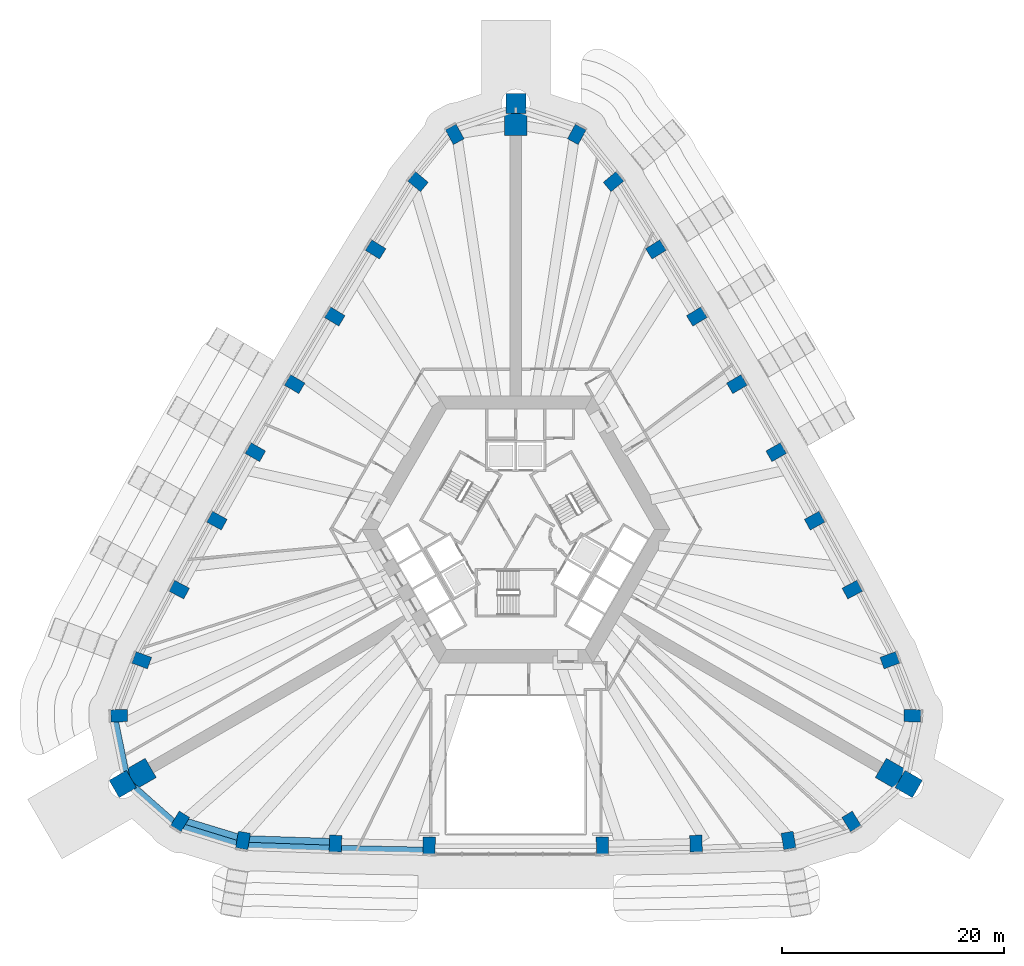
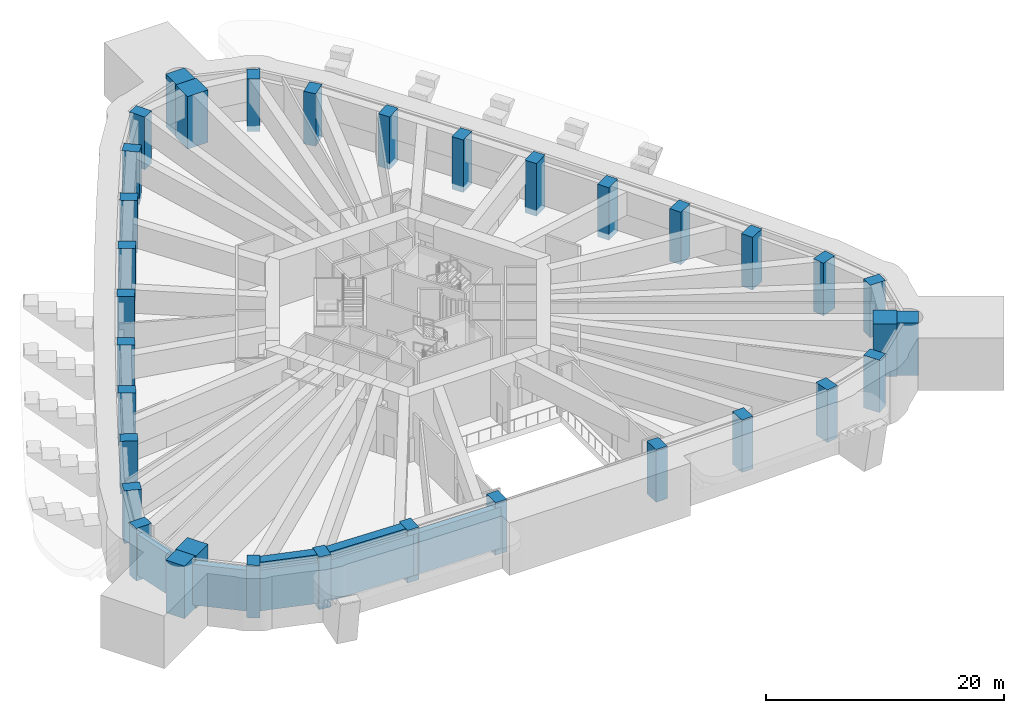
# One storey, part 1 of 20: 34 columns, 5 members, 2 beams.
"""IFC4 building model written with IfcOpenShell, lengths in metres."""

import ifcopenshell
import ifcopenshell.guid

model = None  # the IFC model being written
_history = None  # IfcOwnerHistory: only IFC2X3 demands one
_inside = {}  # id of a spatial element -> (the spatial element, [elements in it])
_under = {}  # id of a project, library or spatial element -> (it, [spatial elements below it])
_declared = {}  # id of a project -> (the project, [libraries it declares])
_typed = {}  # id of a type object -> (the type object, [elements of that type])
_made_of = {}  # id of a material, layer set ... -> (it, [elements and type objects made of it])


def new_model(schema):
    """Start an empty IFC model of exactly this schema.

    Asked for "IFC4X3", IfcOpenShell would pick the latest addendum, in which some entities
    have other attributes; the version numbers below select the first issue.
    IFC2X3 requires an IfcOwnerHistory on every rooted entity: one is made here for all.
    """
    global model, _history
    if schema == "IFC4X3":
        model = ifcopenshell.file(schema_version=(4, 3, 0, 0))
    else:
        model = ifcopenshell.file(schema=schema)
    _inside.clear()
    _under.clear()
    _declared.clear()
    _typed.clear()
    _made_of.clear()
    _history = None
    if model.schema == "IFC2X3":
        org = make("IfcOrganization", Name="unknown")
        user = make(
            "IfcPersonAndOrganization",
            ThePerson=make("IfcPerson", FamilyName="unknown"),
            TheOrganization=org,
        )
        app = make(
            "IfcApplication",
            ApplicationDeveloper=org,
            Version="unknown",
            ApplicationFullName="unknown",
            ApplicationIdentifier="unknown",
        )
        _history = make(
            "IfcOwnerHistory",
            OwningUser=user,
            OwningApplication=app,
            ChangeAction="ADDED",
            CreationDate=0,
        )
    return model


def make(cls, **values):
    """One entity of the class cls with the attributes given. An attribute that is None is left unset."""
    return model.create_entity(
        cls, **{name: value for name, value in values.items() if value is not None}
    )


def rooted(cls, **values):
    """An entity with a GlobalId (a new one), such as an element, a storey or a relation."""
    return make(cls, GlobalId=ifcopenshell.guid.new(), OwnerHistory=_history, **values)


def si_unit(unit_type, name, prefix=None):
    """IfcSIUnit, for example si_unit("LENGTHUNIT", "METRE", prefix="MILLI")."""
    return make("IfcSIUnit", UnitType=unit_type, Prefix=prefix, Name=name)


def assignment(units):
    """IfcUnitAssignment: the units of a project."""
    return None if units is None else make("IfcUnitAssignment", Units=units)


def point(xyz):
    """IfcCartesianPoint."""
    return None if xyz is None else make("IfcCartesianPoint", Coordinates=xyz)


def direction(xyz):
    """IfcDirection."""
    return None if xyz is None else make("IfcDirection", DirectionRatios=xyz)


def frame(location, z_axis=None, x_axis=None):
    """IfcAxis2Placement3D, a coordinate frame: its origin and axes. An axis left out is left unset."""
    return make(
        "IfcAxis2Placement3D",
        Location=point(location),
        Axis=direction(z_axis),
        RefDirection=direction(x_axis),
    )


def frame_2d(location, x_axis=None):
    """IfcAxis2Placement2D, a coordinate frame in the plane: its origin and x axis."""
    return make(
        "IfcAxis2Placement2D", Location=point(location), RefDirection=direction(x_axis)
    )


def origin():
    """The frame at (0, 0, 0) with its axes left unset."""
    return frame((0.0, 0.0, 0.0))


def origin_2d():
    """The frame at (0, 0) in the plane with its x axis left unset."""
    return frame_2d((0.0, 0.0))


def place(relative_to, where):
    """IfcLocalPlacement: puts the frame where relative to a parent placement (None: the world)."""
    return make(
        "IfcLocalPlacement", PlacementRelTo=relative_to, RelativePlacement=where
    )


def context(
    kind, dimensions, precision=None, world=None, true_north=None, identifier=None
):
    """IfcGeometricRepresentationContext, for example the 3D "Model" context."""
    return make(
        "IfcGeometricRepresentationContext",
        ContextIdentifier=identifier,
        ContextType=kind,
        CoordinateSpaceDimension=dimensions,
        Precision=precision,
        WorldCoordinateSystem=world,
        TrueNorth=true_north,
    )


def subcontext(parent, identifier, kind, view, scale=None):
    """IfcGeometricRepresentationSubContext, for example "Body" below "Model"."""
    return make(
        "IfcGeometricRepresentationSubContext",
        ContextIdentifier=identifier,
        ContextType=kind,
        ParentContext=parent,
        TargetScale=scale,
        TargetView=view,
    )


def project(units=None, contexts=None):
    """IfcProject with its units and contexts."""
    return rooted(
        "IfcProject",
        Name="project",
        RepresentationContexts=contexts,
        UnitsInContext=assignment(units),
    )


def spatial(cls, under=None, at=None, **own):
    """A site, building, storey or space (cls), placed at a placement, below another one or the project."""
    s = rooted(cls, ObjectPlacement=at, **own)
    if under is not None:
        _under.setdefault(under.id(), (under, []))[1].append(s)
    return s


def profile(cls, at=None, kind="AREA", **sizes):
    """A parametric profile (cls). Its sizes go by their IFC names, for example OverallWidth=200.0."""
    return make(cls, ProfileType=kind, Position=at, **sizes)


def rectangle(**sizes):
    """IfcRectangleProfileDef."""
    return profile("IfcRectangleProfileDef", **sizes)


def extrude(swept, where, along, depth):
    """IfcExtrudedAreaSolid: the profile swept, set in the frame where, extruded along a direction by depth."""
    return make(
        "IfcExtrudedAreaSolid",
        SweptArea=swept,
        Position=where,
        ExtrudedDirection=direction(along),
        Depth=depth,
    )


def shape(context_of_items, identifier, shape_type, items):
    """IfcShapeRepresentation: the items that make up one representation, for example the "Body"."""
    return make(
        "IfcShapeRepresentation",
        ContextOfItems=context_of_items,
        RepresentationIdentifier=identifier,
        RepresentationType=shape_type,
        Items=items,
    )


def material(Name=None, Category=None):
    """IfcMaterial."""
    return make("IfcMaterial", Name=Name, Category=Category)


def material_profile(
    of_material, cross_section, Name=None, Category=None, Priority=None
):
    """IfcMaterialProfile: a cross section and its material."""
    return make(
        "IfcMaterialProfile",
        Name=Name,
        Material=of_material,
        Profile=cross_section,
        Priority=Priority,
        Category=Category,
    )


def profile_set(profiles, Name=None, composite=None):
    """IfcMaterialProfileSet."""
    return make(
        "IfcMaterialProfileSet",
        Name=Name,
        MaterialProfiles=profiles,
        CompositeProfile=composite,
    )


def made_of(thing, what):
    """Note that an element or type object is made of a material, layer set ...; save() writes the relation."""
    if what is not None:
        _made_of.setdefault(what.id(), (what, []))[1].append(thing)
    return thing


def type_object(cls, material=None, **own):
    """A type object (cls), such as IfcWallType, which elements share."""
    return made_of(rooted(cls, **own), material)


def element(
    cls,
    number,
    at=None,
    inside=None,
    cuts=None,
    type_object=None,
    material=None,
    context=None,
    identifier="Body",
    shape_type=None,
    held_by="IfcProductDefinitionShape",
    body=None,
    shapes=None,
    **own,
):
    """One element of the class cls, such as IfcWall. Its Tag is "e" and its number.

    at: its placement. inside: the storey or other place that contains it. cuts: it is an
    opening in that element (IfcRelVoidsElement). A single representation is given by context,
    identifier, shape_type and body (its items); several are given by shapes. held_by: the class
    of the entity that holds the representations. save() writes the other relations.
    """
    e = rooted(cls, Tag="e%d" % number, ObjectPlacement=at, **own)
    if body is not None:
        shapes = [shape(context, identifier, shape_type, body)]
    if shapes is not None:
        e.Representation = make(held_by, Representations=shapes)
    if inside is not None:
        _inside.setdefault(inside.id(), (inside, []))[1].append(e)
    if cuts is not None:
        rooted(
            "IfcRelVoidsElement", RelatingBuildingElement=cuts, RelatedOpeningElement=e
        )
    if type_object is not None:
        _typed.setdefault(type_object.id(), (type_object, []))[1].append(e)
    return made_of(e, material)


def aggregate(whole, parts):
    """IfcRelAggregates: a whole, such as a stair, and the parts it consists of."""
    return rooted("IfcRelAggregates", RelatingObject=whole, RelatedObjects=parts)


def save(model, path):
    """Write the relations noted so far, then the file.

    IfcRelAggregates (storeys below a building ...), IfcRelContainedInSpatialStructure (elements
    in a storey), IfcRelDefinesByType, IfcRelAssociatesMaterial and IfcRelDeclares: one each for
    every whole, place, type object, material and project.
    """
    for whole, parts in _under.values():
        aggregate(whole, parts)
    for where, things in _inside.values():
        rooted(
            "IfcRelContainedInSpatialStructure",
            RelatedElements=things,
            RelatingStructure=where,
        )
    for kind, things in _typed.values():
        rooted("IfcRelDefinesByType", RelatedObjects=things, RelatingType=kind)
    for what, things in _made_of.values():
        rooted("IfcRelAssociatesMaterial", RelatedObjects=things, RelatingMaterial=what)
    for by, libraries in _declared.values():
        rooted("IfcRelDeclares", RelatingContext=by, RelatedDefinitions=libraries)
    model.write(path)


model = new_model("IFC4")

# Units and contexts
model_context = context("Model", 3, precision=1e-05, world=origin(), true_north=direction((0.0, 1.0)))
body_context = subcontext(model_context, "Body", "Model", "MODEL_VIEW")
ifc_project = project(units=[si_unit("LENGTHUNIT", "METRE"), si_unit("AREAUNIT", "SQUARE_METRE"), si_unit("VOLUMEUNIT", "CUBIC_METRE"), si_unit("PLANEANGLEUNIT", "RADIAN"), si_unit("MASSUNIT", "GRAM", prefix="KILO")], contexts=[model_context])

# Site, building, storey
site_placement = place(None, origin())
site = spatial("IfcSite", under=ifc_project, at=site_placement, CompositionType="ELEMENT")
building_placement = place(site_placement, origin())
building = spatial("IfcBuilding", under=site, at=building_placement, Name="Entoto Arch Interchange Tower", CompositionType="ELEMENT")
storey_placement = place(building_placement, frame((0.0, 0.0, 184.39990234375)))
storey = spatial("IfcBuildingStorey", under=building, at=storey_placement, Name="L41", CompositionType="ELEMENT", Elevation=184.39990234375)

# Columns
ifc_material_1 = material(Name="Concrete C50/60", Category="concrete")
ifc_material_profile_1 = material_profile(ifc_material_1, rectangle(XDim=1.10009765625, YDim=1.5, at=origin_2d()))
ifc_profile_set_1 = profile_set([ifc_material_profile_1], Name="Concrete C50/60")
column_type_1 = type_object("IfcColumnType", Name="Column RC 1100x1500 C50/60", PredefinedType="COLUMN", material=ifc_profile_set_1)
for number, where, z_axis, x_axis, name in (
    (1, (-24.51806640625, -25.469970703125, -0.599853515625), (0.0, 0.0, 1.0), (-0.985753417505, 0.168196908046, 0.0), "Column S01 L41"),
    (2, (-16.205078125, -25.7470703125, -0.599853515625), (0.0, 0.0, 1.0), (-0.999496089207, 0.031742206272, 0.0), "Column S02 L41"),
    (3, (-7.7890625, -25.9169921875, -0.599853515625), (0.0, 0.0, 1.0), (-0.999931015761, 0.011745795767, 0.0), "Column S03 L41"),
    (4, (7.7890625, -25.9169921875, -0.599853515625), (0.0, 0.0, 1.0), (0.999931015761, 0.011745795767, 0.0), "Column S04 L41"),
    (5, (16.205078125, -25.7470703125, -0.599853515625), (0.0, 0.0, 1.0), (0.999496089207, 0.031742206272, 0.0), "Column S05 L41"),
    (6, (24.51806640625, -25.469970703125, -0.599853515625), (0.0, 0.0, 1.0), (0.985753417505, 0.168196908046, 0.0), "Column S06 L41"),
    (7, (30.172119140625, -23.75390625, -0.599853515625), (0.0, 0.0, 1.0), (0.853714435155, 0.520741455243, 0.0), "Column SE1 L41"),
    (8, (35.656982421875, -14.2529296875, -0.599853515625), (0.0, 0.0, 1.0), (0.024118111467, 0.999709116043, 0.0), "Column SE3 L41"),
    (9, (33.626953125, -9.264892578125, -0.599853515625), (0.0, 0.0, 1.0), (-0.346591874029, 0.93801603017, 0.0), "Column NE01 L41"),
    (10, (30.251953125, -2.922119140625, -0.599853515625), (0.0, 0.0, 1.0), (-0.469856776649, 0.882742663202, 0.0), "Column NE02 L41"),
    (11, (26.864990234375, 3.278076171875, -0.599853515625), (0.0, 0.0, 1.0), (-0.481983074142, 0.876180527198, 0.0), "Column NE03 L41"),
    (12, (23.406982421875, 9.43603515625, -0.599853515625), (0.0, 0.0, 1.0), (-0.49401774245, 0.869451821635, 0.0), "Column NE04 L41"),
    (13, (19.8759765625, 15.553955078125, -0.599853515625), (0.0, 0.0, 1.0), (-0.505958493678, 0.8625578257, 0.0), "Column NE05 L41"),
    (14, (16.27197265625, 21.6279296875, -0.599853515625), (0.0, 0.0, 1.0), (-0.517803057784, 0.85549985, 0.0), "Column NE06 L41"),
    (15, (12.595947265625, 27.659912109375, -0.599853515625), (0.0, 0.0, 1.0), (-0.529549183013, 0.848279236319, 0.0), "Column NE07 L41"),
    (16, (8.7890625, 33.75390625, -0.599853515625), (0.0, 0.0, 1.0), (-0.63904977427, 0.76916538274, 0.0), "Column NE08 L41"),
    (17, (5.485107421875, 38.006103515625, -0.599853515625), (0.0, 0.0, 1.0), (-0.877832546621, 0.4789676608, 0.0), "Column N1 L41"),
    (18, (-5.485107421875, 38.006103515625, -0.599853515625), (0.0, 0.0, 1.0), (0.877832546621, 0.4789676608, 0.0), "Column N3 L41"),
    (19, (-8.7890625, 33.75390625, -0.599853515625), (0.0, 0.0, 1.0), (0.63904977427, 0.76916538274, 0.0), "Column NW01 L41"),
    (20, (-12.595947265625, 27.659912109375, -0.599853515625), (0.0, 0.0, 1.0), (0.529549183013, 0.848279236319, 0.0), "Column NW02 L41"),
    (21, (-16.27197265625, 21.6279296875, -0.599853515625), (0.0, 0.0, 1.0), (0.517803057784, 0.85549985, 0.0), "Column NW03 L41"),
    (22, (-19.8759765625, 15.553955078125, -0.599853515625), (0.0, 0.0, 1.0), (0.505958493678, 0.8625578257, 0.0), "Column NW04 L41"),
    (23, (-23.406982421875, 9.43603515625, -0.599853515625), (0.0, 0.0, 1.0), (0.49401774245, 0.869451821635, 0.0), "Column NW05 L41"),
    (24, (-26.864990234375, 3.278076171875, -0.599853515625), (0.0, 0.0, 1.0), (0.481983074142, 0.876180527198, 0.0), "Column NW06 L41"),
    (25, (-30.251953125, -2.922119140625, -0.599853515625), (0.0, 0.0, 1.0), (0.469856776649, 0.882742663202, 0.0), "Column NW07 L41"),
    (26, (-33.626953125, -9.264892578125, -0.599853515625), (0.0, 0.0, 1.0), (0.346591874029, 0.93801603017, 0.0), "Column NW08 L41"),
    (27, (-35.656982421875, -14.2529296875, -0.599853515625), (0.0, 0.0, 1.0), (-0.024118111467, 0.999709116043, 0.0), "Column SW1 L41"),
    (28, (-30.172119140625, -23.75390625, -0.599853515625), (0.0, 0.0, 1.0), (-0.853714435155, 0.520741455243, 0.0), "Column SW3 L41"),
):
    element("IfcColumn", number, at=place(storey_placement, frame(where, z_axis=z_axis, x_axis=x_axis)), inside=storey, type_object=column_type_1, Name=name, PredefinedType="COLUMN", context=body_context, shape_type="SweptSolid", body=[
        extrude(rectangle(XDim=1.10009765625, YDim=1.5, at=origin_2d()), origin(), (0.0, 0.0, 1.0), 5.39990234375),
    ])
ifc_material_2 = material(Name="Precast concrete C40/50", Category="concrete")
ifc_material_profile_2 = material_profile(ifc_material_2, rectangle(XDim=1.800048828125, YDim=1.800048828125, at=origin_2d()))
ifc_profile_set_2 = profile_set([ifc_material_profile_2], Name="Precast concrete C40/50")
column_type_2 = type_object("IfcColumnType", Name="Frame post RC 1800x1800 precast C40/50", PredefinedType="COLUMN", material=ifc_profile_set_2)
for number, where, z_axis, x_axis, name in (
    (29, (35.324951171875, -20.39404296875, -0.599853515625), (0.0, 0.0, 1.0), (-0.866025403784, 0.5, 0.0), "Frame post SE L41"),
    (30, (0.0, 40.7890625, -0.599853515625), (0.0, 0.0, 1.0), (0.0, 1.0, 0.0), "Frame post N L41"),
    (31, (-35.324951171875, -20.39404296875, -0.599853515625), (0.0, 0.0, 1.0), (0.866025403784, 0.5, 0.0), "Frame post SW L41"),
):
    element("IfcColumn", number, at=place(storey_placement, frame(where, z_axis=z_axis, x_axis=x_axis)), inside=storey, type_object=column_type_2, Name=name, PredefinedType="COLUMN", context=body_context, shape_type="SweptSolid", body=[
        extrude(rectangle(XDim=1.800048828125, YDim=1.800048828125, at=origin_2d()), origin(), (0.0, 0.0, 1.0), 5.39990234375),
    ])
ifc_material_profile_3 = material_profile(ifc_material_1, rectangle(XDim=2.0, YDim=2.0, at=origin_2d()))
ifc_profile_set_3 = profile_set([ifc_material_profile_3], Name="Concrete C50/60")
column_type_3 = type_object("IfcColumnType", Name="Mega column RC 2000x2000 C50/60", PredefinedType="COLUMN", material=ifc_profile_set_3)
for number, where, z_axis, x_axis, name in (
    (32, (33.679931640625, -19.444091796875, -0.599853515625), (0.0, 0.0, 1.0), (-0.866025403784, 0.5, 0.0), "Corner mega column SE2 L41"),
    (33, (0.0, 38.888916015625, -0.599853515625), (0.0, 0.0, 1.0), (0.0, 1.0, 0.0), "Corner mega column N2 L41"),
    (34, (-33.679931640625, -19.444091796875, -0.599853515625), (0.0, 0.0, 1.0), (0.866025403784, 0.5, 0.0), "Corner mega column SW2 L41"),
):
    element("IfcColumn", number, at=place(storey_placement, frame(where, z_axis=z_axis, x_axis=x_axis)), inside=storey, type_object=column_type_3, Name=name, PredefinedType="COLUMN", context=body_context, shape_type="SweptSolid", body=[
        extrude(rectangle(XDim=2.0, YDim=2.0, at=origin_2d()), origin(), (0.0, 0.0, 1.0), 5.39990234375),
    ])

# Members
ifc_material_profile_4 = material_profile(ifc_material_1, rectangle(XDim=0.60009765625, YDim=4.199951171875, at=origin_2d()))
ifc_profile_set_4 = profile_set([ifc_material_profile_4], Name="Concrete C50/60")
member_type = type_object("IfcMemberType", Name="Belt member RC 600x4200 C50/60", PredefinedType="USERDEFINED", material=ifc_profile_set_4)
member_1_placement = place(storey_placement, frame((-24.594970703125, -25.9140625, 2.10009765625), z_axis=(0.999409627733, -0.034356891506, 0.0), x_axis=(0.034356891506, 0.999409627733, 0.0)))
element("IfcMember", 35, at=member_1_placement, inside=storey, type_object=member_type, Name="Belt beam 01 L41", ObjectType="BELT BEAM", PredefinedType="USERDEFINED", context=body_context, shape_type="SweptSolid", body=[
    extrude(rectangle(XDim=0.60009765625, YDim=4.199951171875, at=origin_2d()), origin(), (0.0, 0.0, 1.0), 8.3779296875),
])
member_2_placement = place(storey_placement, frame((-16.221923828125, -26.201904296875, 2.10009765625), z_axis=(0.999796137513, -0.02019117167, 0.0), x_axis=(0.02019117167, 0.999796137513, 0.0)))
element("IfcMember", 36, at=member_2_placement, inside=storey, type_object=member_type, Name="Belt beam 02 L41", ObjectType="BELT BEAM", PredefinedType="USERDEFINED", context=body_context, shape_type="SweptSolid", body=[
    extrude(rectangle(XDim=0.60009765625, YDim=4.199951171875, at=origin_2d()), origin(), (0.0, 0.0, 1.0), 8.427734375),
])
member_3_placement = place(storey_placement, frame((-36.094970703125, -14.31591796875, 2.10009765625), z_axis=(0.197470796802, -0.980308769935, 0.0), x_axis=(0.980308769935, 0.197470796802, 0.0)))
element("IfcMember", 37, at=member_3_placement, inside=storey, type_object=member_type, Name="Belt beam 29 L41", ObjectType="BELT BEAM", PredefinedType="USERDEFINED", context=body_context, shape_type="SweptSolid", body=[
    extrude(rectangle(XDim=0.60009765625, YDim=4.199951171875, at=origin_2d()), origin(), (0.0, 0.0, 1.0), 5.96044921875),
])
member_4_placement = place(storey_placement, frame((-34.91796875, -20.158935546875, 2.10009765625), z_axis=(0.750140700189, -0.661278254535, 0.0), x_axis=(0.661278254535, 0.750140700189, 0.0)))
element("IfcMember", 38, at=member_4_placement, inside=storey, type_object=member_type, Name="Belt beam 30 L41", ObjectType="BELT BEAM", PredefinedType="USERDEFINED", context=body_context, shape_type="SweptSolid", body=[
    extrude(rectangle(XDim=0.60009765625, YDim=4.199951171875, at=origin_2d()), origin(), (0.0, 0.0, 1.0), 5.99755859375),
])
member_5_placement = place(storey_placement, frame((-30.4189453125, -24.125, 2.10009765625), z_axis=(0.955914069057, -0.29364654362, 0.0), x_axis=(0.29364654362, 0.955914069057, 0.0)))
element("IfcMember", 39, at=member_5_placement, inside=storey, type_object=member_type, Name="Belt beam 31 L41", ObjectType="BELT BEAM", PredefinedType="USERDEFINED", context=body_context, shape_type="SweptSolid", body=[
    extrude(rectangle(XDim=0.60009765625, YDim=4.199951171875, at=origin_2d()), origin(), (0.0, 0.0, 1.0), 6.092529296875),
])

# Beams
ifc_material_profile_5 = material_profile(ifc_material_1, rectangle(XDim=0.89990234375, YDim=2.39990234375, at=origin_2d()))
ifc_profile_set_5 = profile_set([ifc_material_profile_5], Name="Concrete C50/60")
beam_type = type_object("IfcBeamType", Name="Transfer beam RC 900x2400 C50/60", PredefinedType="BEAM", material=ifc_profile_set_5)
beam_1_placement = place(storey_placement, frame((-30.172119140625, -23.75390625, 3.60009765625), z_axis=(0.95689677686, -0.290428232849, 0.0), x_axis=(0.290428232849, 0.95689677686, 0.0)))
element("IfcBeam", 40, at=beam_1_placement, inside=storey, type_object=beam_type, Name="Transfer girder S01 L41", PredefinedType="BEAM", context=body_context, shape_type="SweptSolid", body=[
    extrude(rectangle(XDim=0.89990234375, YDim=2.39990234375, at=origin_2d()), origin(), (0.0, 0.0, 1.0), 5.90869140625),
])
beam_2_placement = place(storey_placement, frame((-24.51806640625, -25.469970703125, 3.60009765625), z_axis=(0.999444906979, -0.033314830233, 0.0), x_axis=(0.033314830233, 0.999444906979, 0.0)))
element("IfcBeam", 41, at=beam_2_placement, inside=storey, type_object=beam_type, Name="Transfer girder S02 L41", PredefinedType="BEAM", context=body_context, shape_type="SweptSolid", body=[
    extrude(rectangle(XDim=0.89990234375, YDim=2.39990234375, at=origin_2d()), origin(), (0.0, 0.0, 1.0), 8.317626953125),
])

save(model, "model.ifc")
